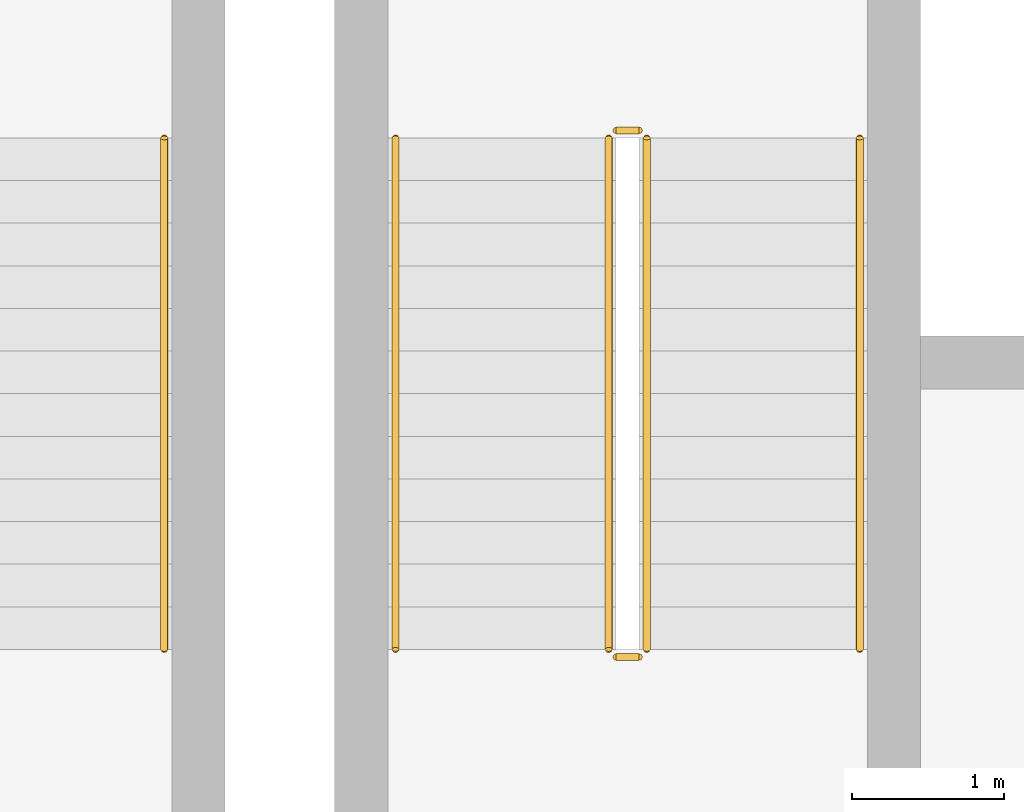
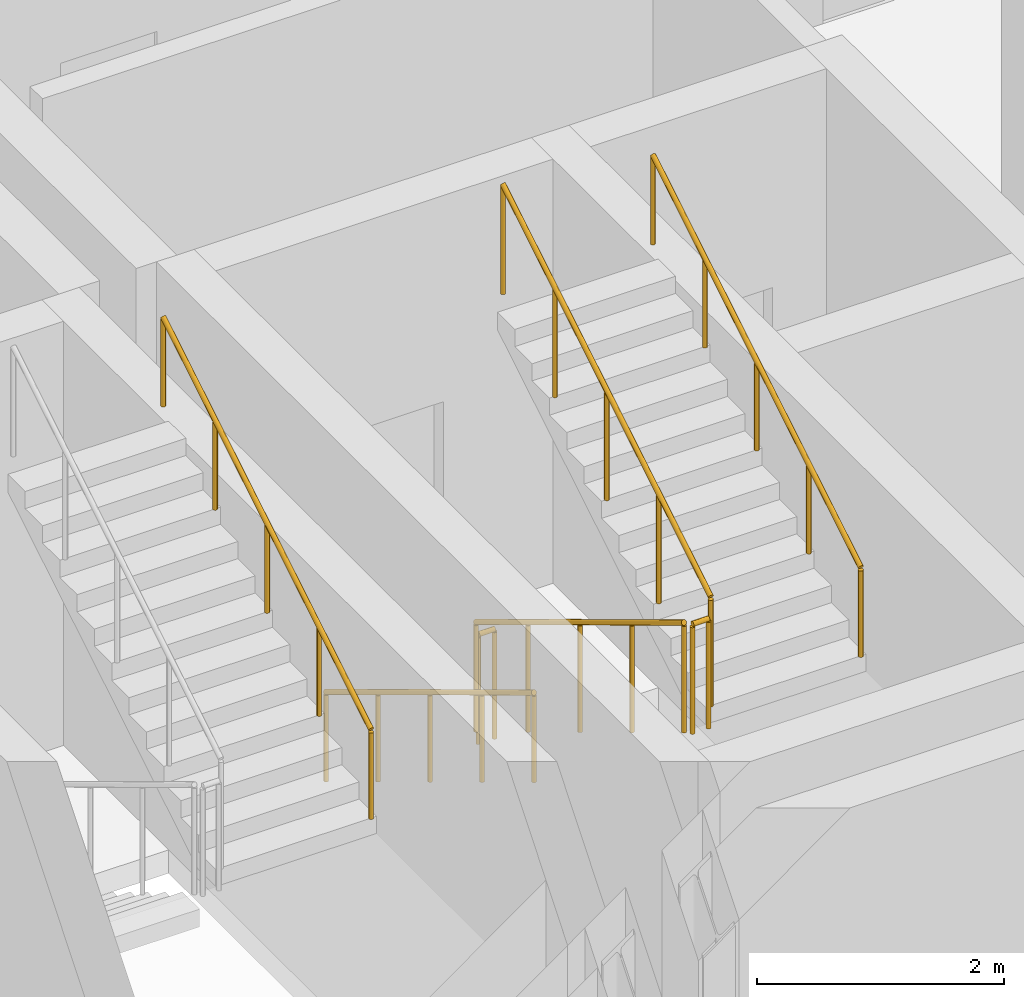
# One storey, part 67 of 76: 7 railings.
"""IFC4 building model written with IfcOpenShell, lengths in metres."""

from ifc_helpers import new_model, si_unit, direction, frame, origin, origin_2d, place, context, subcontext, project, spatial, circle, extrude, material, layer, layer_set, type_object, element, save


model = new_model("IFC4")

# Units and contexts
model_context = context("Model", 3, precision=1e-05, world=origin(), true_north=direction((0.0, 1.0)))
body_context = subcontext(model_context, "Body", "Model", "MODEL_VIEW")
ifc_project = project(units=[si_unit("LENGTHUNIT", "METRE"), si_unit("AREAUNIT", "SQUARE_METRE"), si_unit("VOLUMEUNIT", "CUBIC_METRE"), si_unit("PLANEANGLEUNIT", "RADIAN"), si_unit("MASSUNIT", "GRAM", prefix="KILO")], contexts=[model_context])

# Site, building, storey
site_placement = place(None, origin())
site = spatial("IfcSite", under=ifc_project, at=site_placement, CompositionType="ELEMENT")
building_placement = place(site_placement, origin())
building = spatial("IfcBuilding", under=site, at=building_placement, Name="Zarrinpeak Specialist Clinic", CompositionType="ELEMENT")
storey_placement = place(building_placement, frame((0.0, 0.0, 5.199951171875)))
storey = spatial("IfcBuildingStorey", under=building, at=storey_placement, Name="L01", CompositionType="ELEMENT", Elevation=5.199951171875)

# Railings
ifc_material_1 = material(Name="Laminated Safety Glass and Stainless Steel 316", Category="steel")
ifc_layer_1 = layer(ifc_material_1, 0.06005859375)
ifc_layer_set_1 = layer_set([ifc_layer_1], Name="Laminated Safety Glass and Stainless Steel 316")
railing_type_1 = type_object("IfcRailingType", Name="RL-GRD115", PredefinedType="GUARDRAIL", material=ifc_layer_set_1)
railing_1_placement = place(storey_placement, frame((60.1201171875, 6.85009765625, 0.169189453125)))
element("IfcRailing", 1, at=railing_1_placement, inside=storey, type_object=railing_type_1, Name="L01 ST-07 stair guard 1", PredefinedType="GUARDRAIL", context=body_context, shape_type="SweptSolid", body=[
    extrude(circle(Radius=0.02392578125, at=origin_2d()), frame((0.0, 0.0, 1.076171875), z_axis=(0.0, -0.855836976705, 0.517245656632), x_axis=(1.0, 0.0, 0.0)), (0.0, 0.0, 1.0), 3.926025390625),
    extrude(circle(Radius=0.02099609375, at=origin_2d()), origin(), (0.0, 0.0, 1.0), 1.052001953125),
    extrude(circle(Radius=0.02099609375, at=origin_2d()), frame((0.0, -0.840087890625, 0.5078125)), (0.0, 0.0, 1.0), 1.052001953125),
    extrude(circle(Radius=0.02099609375, at=origin_2d()), frame((0.0, -1.68017578125, 1.015380859375)), (0.0, 0.0, 1.0), 1.052001953125),
    extrude(circle(Radius=0.02099609375, at=origin_2d()), frame((0.0, -2.52001953125, 1.52294921875)), (0.0, 0.0, 1.0), 1.052001953125),
    extrude(circle(Radius=0.02099609375, at=origin_2d()), frame((0.0, -3.360107421875, 2.03076171875)), (0.0, 0.0, 1.0), 1.052001953125),
])
railing_2_placement = place(storey_placement, frame((60.169921875, 3.43994140625, 2.199951171875)))
element("IfcRailing", 2, at=railing_2_placement, inside=storey, type_object=railing_type_1, Name="L01 ST-07 stair guard 2", PredefinedType="GUARDRAIL", context=body_context, shape_type="SweptSolid", body=[
    extrude(circle(Radius=0.02392578125, at=origin_2d()), frame((0.0, 0.0, 1.076171875), z_axis=(1.0, 0.0, 0.0), x_axis=(0.0, 1.0, 0.0)), (0.0, 0.0, 1.0), 0.150146484375),
    extrude(circle(Radius=0.02099609375, at=origin_2d()), origin(), (0.0, 0.0, 1.0), 1.052001953125),
    extrude(circle(Radius=0.02099609375, at=origin_2d()), frame((0.150146484375, 0.0, 0.0)), (0.0, 0.0, 1.0), 1.052001953125),
])
railing_3_placement = place(storey_placement, frame((60.3701171875, 3.489990234375, 2.369384765625)))
element("IfcRailing", 3, at=railing_3_placement, inside=storey, type_object=railing_type_1, Name="L01 ST-07 stair guard 3", PredefinedType="GUARDRAIL", context=body_context, shape_type="SweptSolid", body=[
    extrude(circle(Radius=0.02392578125, at=origin_2d()), frame((0.0, 0.0, 1.076171875), z_axis=(0.0, 0.855836976705, 0.517245656632), x_axis=(-1.0, 0.0, 0.0)), (0.0, 0.0, 1.0), 3.926025390625),
    extrude(circle(Radius=0.02099609375, at=origin_2d()), origin(), (0.0, 0.0, 1.0), 1.052001953125),
    extrude(circle(Radius=0.02099609375, at=origin_2d()), frame((0.0, 0.840087890625, 0.5078125)), (0.0, 0.0, 1.0), 1.052001953125),
    extrude(circle(Radius=0.02099609375, at=origin_2d()), frame((0.0, 1.68017578125, 1.015380859375)), (0.0, 0.0, 1.0), 1.052001953125),
    extrude(circle(Radius=0.02099609375, at=origin_2d()), frame((0.0, 2.52001953125, 1.52294921875)), (0.0, 0.0, 1.0), 1.052001953125),
    extrude(circle(Radius=0.02099609375, at=origin_2d()), frame((0.0, 3.360107421875, 2.03076171875)), (0.0, 0.0, 1.0), 1.052001953125),
])
railing_4_placement = place(storey_placement, frame((60.169921875, 6.89990234375, 0.0)))
element("IfcRailing", 4, at=railing_4_placement, inside=storey, type_object=railing_type_1, Name="L01 ST-07 stair guard 4", PredefinedType="GUARDRAIL", context=body_context, shape_type="SweptSolid", body=[
    extrude(circle(Radius=0.02392578125, at=origin_2d()), frame((0.0, 0.0, 1.076171875), z_axis=(1.0, 0.0, 0.0), x_axis=(0.0, 1.0, 0.0)), (0.0, 0.0, 1.0), 0.150146484375),
    extrude(circle(Radius=0.02099609375, at=origin_2d()), origin(), (0.0, 0.0, 1.0), 1.052001953125),
    extrude(circle(Radius=0.02099609375, at=origin_2d()), frame((0.150146484375, 0.0, 0.0)), (0.0, 0.0, 1.0), 1.052001953125),
])
ifc_material_2 = material(Name="Brushed Stainless Steel 316 Handrail", Category="steel")
ifc_layer_2 = layer(ifc_material_2, 0.050048828125)
ifc_layer_set_2 = layer_set([ifc_layer_2], Name="Brushed Stainless Steel 316 Handrail")
railing_type_2 = type_object("IfcRailingType", Name="RL-HND92", PredefinedType="HANDRAIL", material=ifc_layer_set_2)
railing_5_placement = place(storey_placement, frame((57.199951171875, 3.489990234375, 2.369384765625)))
element("IfcRailing", 5, at=railing_5_placement, inside=storey, type_object=railing_type_2, Name="L01 ST-04 stair handrail 2", PredefinedType="HANDRAIL", context=body_context, shape_type="SweptSolid", body=[
    extrude(circle(Radius=0.02392578125, at=origin_2d()), frame((0.0, 0.0, 0.8759765625), z_axis=(0.0, 0.855836976705, 0.517245656632), x_axis=(-1.0, 0.0, 0.0)), (0.0, 0.0, 1.0), 3.926025390625),
    extrude(circle(Radius=0.02099609375, at=origin_2d()), origin(), (0.0, 0.0, 1.0), 0.851806640625),
    extrude(circle(Radius=0.02099609375, at=origin_2d()), frame((0.0, 0.840087890625, 0.5078125)), (0.0, 0.0, 1.0), 0.851806640625),
    extrude(circle(Radius=0.02099609375, at=origin_2d()), frame((0.0, 1.68017578125, 1.015380859375)), (0.0, 0.0, 1.0), 0.851806640625),
    extrude(circle(Radius=0.02099609375, at=origin_2d()), frame((0.0, 2.52001953125, 1.52294921875)), (0.0, 0.0, 1.0), 0.851806640625),
    extrude(circle(Radius=0.02099609375, at=origin_2d()), frame((0.0, 3.360107421875, 2.03076171875)), (0.0, 0.0, 1.0), 0.851806640625),
])
railing_6_placement = place(storey_placement, frame((58.719970703125, 6.85009765625, 0.169189453125)))
element("IfcRailing", 6, at=railing_6_placement, inside=storey, type_object=railing_type_2, Name="L01 ST-07 stair handrail 1", PredefinedType="HANDRAIL", context=body_context, shape_type="SweptSolid", body=[
    extrude(circle(Radius=0.02392578125, at=origin_2d()), frame((0.0, 0.0, 0.8759765625), z_axis=(0.0, -0.855836976705, 0.517245656632), x_axis=(1.0, 0.0, 0.0)), (0.0, 0.0, 1.0), 3.926025390625),
    extrude(circle(Radius=0.02099609375, at=origin_2d()), origin(), (0.0, 0.0, 1.0), 0.851806640625),
    extrude(circle(Radius=0.02099609375, at=origin_2d()), frame((0.0, -0.840087890625, 0.5078125)), (0.0, 0.0, 1.0), 0.851806640625),
    extrude(circle(Radius=0.02099609375, at=origin_2d()), frame((0.0, -1.68017578125, 1.015380859375)), (0.0, 0.0, 1.0), 0.851806640625),
    extrude(circle(Radius=0.02099609375, at=origin_2d()), frame((0.0, -2.52001953125, 1.52294921875)), (0.0, 0.0, 1.0), 0.851806640625),
    extrude(circle(Radius=0.02099609375, at=origin_2d()), frame((0.0, -3.360107421875, 2.03076171875)), (0.0, 0.0, 1.0), 0.851806640625),
])
railing_7_placement = place(storey_placement, frame((61.77001953125, 3.489990234375, 2.369384765625)))
element("IfcRailing", 7, at=railing_7_placement, inside=storey, type_object=railing_type_2, Name="L01 ST-07 stair handrail 2", PredefinedType="HANDRAIL", context=body_context, shape_type="SweptSolid", body=[
    extrude(circle(Radius=0.02392578125, at=origin_2d()), frame((0.0, 0.0, 0.8759765625), z_axis=(0.0, 0.855836976705, 0.517245656632), x_axis=(-1.0, 0.0, 0.0)), (0.0, 0.0, 1.0), 3.926025390625),
    extrude(circle(Radius=0.02099609375, at=origin_2d()), origin(), (0.0, 0.0, 1.0), 0.851806640625),
    extrude(circle(Radius=0.02099609375, at=origin_2d()), frame((0.0, 0.840087890625, 0.5078125)), (0.0, 0.0, 1.0), 0.851806640625),
    extrude(circle(Radius=0.02099609375, at=origin_2d()), frame((0.0, 1.68017578125, 1.015380859375)), (0.0, 0.0, 1.0), 0.851806640625),
    extrude(circle(Radius=0.02099609375, at=origin_2d()), frame((0.0, 2.52001953125, 1.52294921875)), (0.0, 0.0, 1.0), 0.851806640625),
    extrude(circle(Radius=0.02099609375, at=origin_2d()), frame((0.0, 3.360107421875, 2.03076171875)), (0.0, 0.0, 1.0), 0.851806640625),
])

save(model, "model.ifc")
